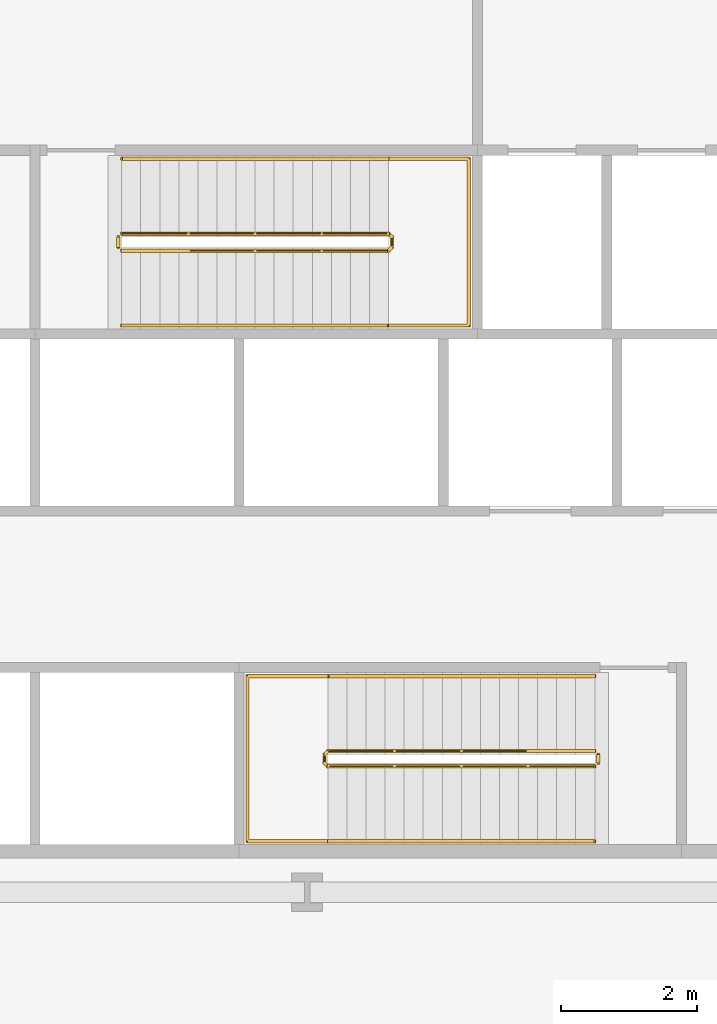
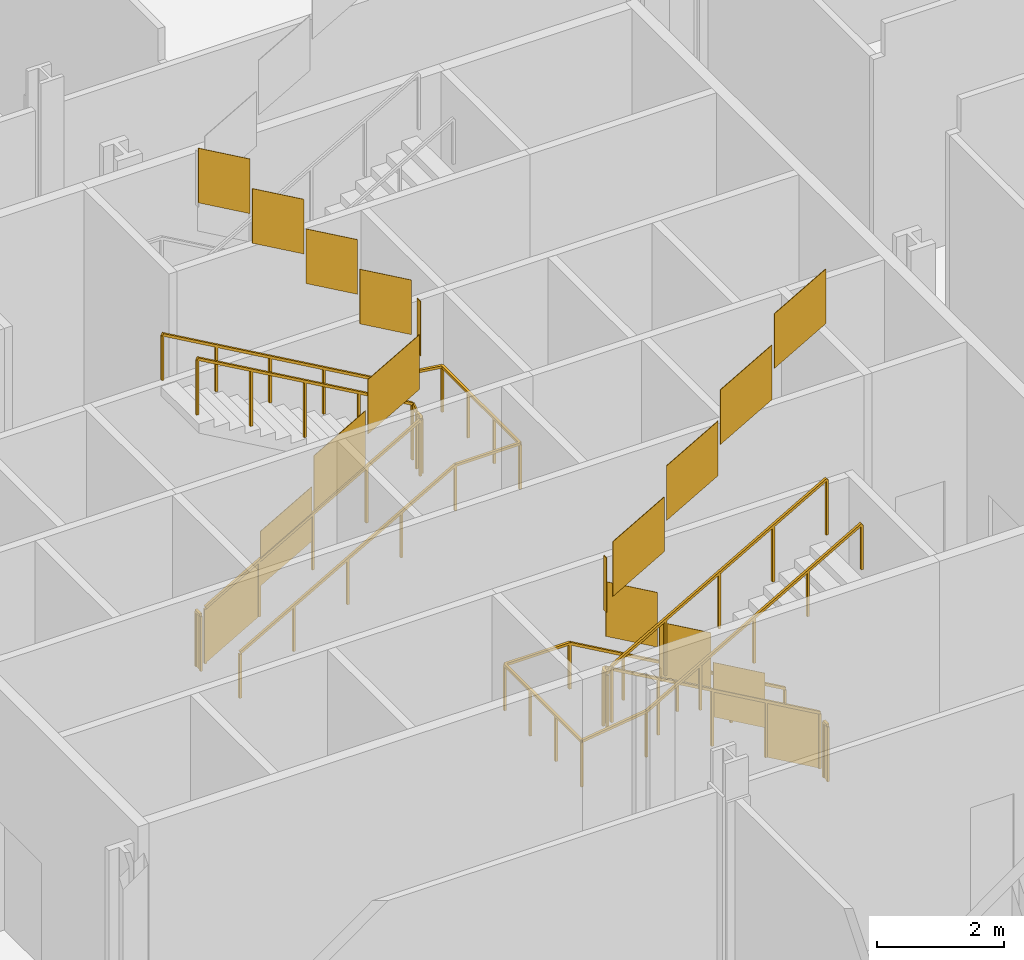
# One storey, part 18 of 22: 6 railings.
"""IFC4 building model written with IfcOpenShell, lengths in metres."""

from ifc_helpers import new_model, si_unit, direction, frame, origin, origin_2d, place, context, subcontext, project, spatial, polyline, rectangle, outline, extrude, material, type_object, element, save


model = new_model("IFC4")

# Units and contexts
model_context = context("Model", 3, precision=1e-05, world=origin(), true_north=direction((0.0, 1.0)))
body_context = subcontext(model_context, "Body", "Model", "MODEL_VIEW")
ifc_project = project(units=[si_unit("LENGTHUNIT", "METRE"), si_unit("AREAUNIT", "SQUARE_METRE"), si_unit("VOLUMEUNIT", "CUBIC_METRE"), si_unit("PLANEANGLEUNIT", "RADIAN"), si_unit("MASSUNIT", "GRAM", prefix="KILO")], contexts=[model_context])

# Site, building, storey
site_placement = place(None, origin())
site = spatial("IfcSite", under=ifc_project, at=site_placement, CompositionType="ELEMENT")
building_placement = place(site_placement, origin())
building = spatial("IfcBuilding", under=site, at=building_placement, Name="Cairn Pilgrim Tower", CompositionType="ELEMENT")
storey_placement = place(building_placement, frame((0.0, 0.0, 35.39990234375)))
storey = spatial("IfcBuildingStorey", under=building, at=storey_placement, Name="L06", CompositionType="ELEMENT", Elevation=35.39990234375)

# Railings
ifc_material = material(Name="Painted steel", Category="steel")
railing_type_1 = type_object("IfcRailingType", Name="STAIR GUARD 1100", PredefinedType="GUARDRAIL", material=ifc_material)
railing_1_placement = place(storey_placement, frame((11.425048828125, -3.925048828125, 0.16015625)))
element("IfcRailing", 1, at=railing_1_placement, inside=storey, type_object=railing_type_1, Name="L06 ST-A stair guard 1", PredefinedType="GUARDRAIL", context=body_context, shape_type="SweptSolid", body=[
    extrude(rectangle(XDim=0.048095703125, YDim=0.048095703125, at=origin_2d()), frame((0.0, 0.0, 1.076171875), z_axis=(-0.86825312469, 0.0, 0.496121468458), x_axis=(0.0, -1.0, 0.0)), (0.0, 0.0, 1.0), 4.514892578125),
    extrude(rectangle(XDim=0.048095703125, YDim=0.048095703125, at=origin_2d()), frame((-3.920166015625, 0.0, 3.31591796875), z_axis=(-0.705375805398, -0.708833529934, 0.0), x_axis=(0.708833529934, -0.705375805398, 0.0)), (0.0, 0.0, 1.0), 0.070556640625),
    extrude(rectangle(XDim=0.048095703125, YDim=0.048095703125, at=origin_2d()), frame((-3.969970703125, -0.050048828125, 3.31591796875), z_axis=(0.0, -1.0, 0.0), x_axis=(1.0, 0.0, 0.0)), (0.0, 0.0, 1.0), 0.125),
    extrude(rectangle(XDim=0.048095703125, YDim=0.048095703125, at=origin_2d()), frame((-3.969970703125, -0.175048828125, 3.31591796875), z_axis=(0.285027140974, -0.285027140974, 0.915160673224), x_axis=(0.707106781187, 0.707106781187, 0.0)), (0.0, 0.0, 1.0), 0.1748046875),
    extrude(rectangle(XDim=0.048095703125, YDim=0.048095703125, at=origin_2d()), frame((-3.920166015625, -0.224853515625, 3.47607421875), z_axis=(0.86825312469, 0.0, 0.496121468458), x_axis=(0.0, 1.0, 0.0)), (0.0, 0.0, 1.0), 4.514892578125),
    extrude(rectangle(XDim=0.0419921875, YDim=0.0419921875, at=origin_2d()), origin(), (0.0, 0.0, 1.0), 1.052001953125),
    extrude(rectangle(XDim=0.0419921875, YDim=0.0419921875, at=origin_2d()), frame((-0.97998046875, 0.0, 0.56005859375)), (0.0, 0.0, 1.0), 1.052001953125),
    extrude(rectangle(XDim=0.0419921875, YDim=0.0419921875, at=origin_2d()), frame((-1.9599609375, 0.0, 1.1201171875)), (0.0, 0.0, 1.0), 1.052001953125),
    extrude(rectangle(XDim=0.0419921875, YDim=0.0419921875, at=origin_2d()), frame((-2.940185546875, 0.0, 1.679931640625)), (0.0, 0.0, 1.0), 1.052001953125),
    extrude(rectangle(XDim=0.0419921875, YDim=0.0419921875, at=origin_2d()), frame((-3.920166015625, 0.0, 2.239990234375)), (0.0, 0.0, 1.0), 1.052001953125),
    extrude(rectangle(XDim=0.0419921875, YDim=0.0419921875, at=origin_2d()), frame((-3.969970703125, -0.050048828125, 2.239990234375)), (0.0, 0.0, 1.0), 1.052001953125),
    extrude(rectangle(XDim=0.0419921875, YDim=0.0419921875, at=origin_2d()), frame((-3.969970703125, -0.175048828125, 2.239990234375)), (0.0, 0.0, 1.0), 1.052001953125),
    extrude(rectangle(XDim=0.0419921875, YDim=0.0419921875, at=origin_2d()), frame((-3.920166015625, -0.224853515625, 2.39990234375)), (0.0, 0.0, 1.0), 1.052001953125),
    extrude(rectangle(XDim=0.0419921875, YDim=0.0419921875, at=origin_2d()), frame((-2.940185546875, -0.224853515625, 2.9599609375)), (0.0, 0.0, 1.0), 1.052001953125),
    extrude(rectangle(XDim=0.0419921875, YDim=0.0419921875, at=origin_2d()), frame((-1.9599609375, -0.224853515625, 3.52001953125)), (0.0, 0.0, 1.0), 1.052001953125),
    extrude(rectangle(XDim=0.0419921875, YDim=0.0419921875, at=origin_2d()), frame((-0.97998046875, -0.224853515625, 4.079833984375)), (0.0, 0.0, 1.0), 1.052001953125),
    extrude(rectangle(XDim=0.0419921875, YDim=0.0419921875, at=origin_2d()), frame((0.0, -0.224853515625, 4.639892578125)), (0.0, 0.0, 1.0), 1.052001953125),
    extrude(outline(polyline([(0.02099609375, 0.011962890625), (0.958984375, 0.548095703125), (0.958984375, 1.60009765625), (0.02099609375, 1.06396484375), (0.02099609375, 0.011962890625)])), frame((0.0, -0.005859375, 0.0), z_axis=(0.0, 1.0, 0.0), x_axis=(-1.0, 0.0, 0.0)), (0.0, 0.0, 1.0), 0.011962890625),
    extrude(outline(polyline([(0.02099609375, 0.572021484375), (0.958984375, 1.10791015625), (0.958984375, 2.159912109375), (0.02099609375, 1.6240234375), (0.02099609375, 0.572021484375)])), frame((-0.97998046875, -0.005859375, 0.56005859375), z_axis=(0.0, 1.0, 0.0), x_axis=(-1.0, 0.0, 0.0)), (0.0, 0.0, 1.0), 0.011962890625),
    extrude(outline(polyline([(0.02099609375, 1.132080078125), (0.958984375, 1.66796875), (0.958984375, 2.719970703125), (0.02099609375, 2.18408203125), (0.02099609375, 1.132080078125)])), frame((-1.9599609375, -0.005859375, 1.1201171875), z_axis=(0.0, 1.0, 0.0), x_axis=(-1.0, 0.0, 0.0)), (0.0, 0.0, 1.0), 0.011962890625),
    extrude(outline(polyline([(0.02099609375, 1.69189453125), (0.958984375, 2.22802734375), (0.958984375, 3.280029296875), (0.02099609375, 2.743896484375), (0.02099609375, 1.69189453125)])), frame((-2.940185546875, -0.005859375, 1.679931640625), z_axis=(0.0, 1.0, 0.0), x_axis=(-1.0, 0.0, 0.0)), (0.0, 0.0, 1.0), 0.011962890625),
    extrude(outline(polyline([(0.02099609375, 2.239990234375), (0.10400390625, 2.239990234375), (0.10400390625, 3.2919921875), (0.02099609375, 3.2919921875), (0.02099609375, 2.239990234375)])), frame((-3.9638671875, -0.050048828125, 2.239990234375), z_axis=(-1.0, 0.0, 0.0), x_axis=(0.0, -1.0, 0.0)), (0.0, 0.0, 1.0), 0.011962890625),
    extrude(outline(polyline([(0.02099609375, 2.411865234375), (0.958984375, 2.947998046875), (0.958984375, 4.0), (0.02099609375, 3.4638671875), (0.02099609375, 2.411865234375)])), frame((-3.920166015625, -0.21875, 2.39990234375), z_axis=(0.0, -1.0, 0.0), x_axis=(1.0, 0.0, 0.0)), (0.0, 0.0, 1.0), 0.011962890625),
    extrude(outline(polyline([(0.02099609375, 2.971923828125), (0.958984375, 3.5078125), (0.958984375, 4.559814453125), (0.02099609375, 4.02392578125), (0.02099609375, 2.971923828125)])), frame((-2.940185546875, -0.21875, 2.9599609375), z_axis=(0.0, -1.0, 0.0), x_axis=(1.0, 0.0, 0.0)), (0.0, 0.0, 1.0), 0.011962890625),
    extrude(outline(polyline([(0.02099609375, 3.531982421875), (0.958984375, 4.06787109375), (0.958984375, 5.119873046875), (0.02099609375, 4.583984375), (0.02099609375, 3.531982421875)])), frame((-1.9599609375, -0.21875, 3.52001953125), z_axis=(0.0, -1.0, 0.0), x_axis=(1.0, 0.0, 0.0)), (0.0, 0.0, 1.0), 0.011962890625),
    extrude(outline(polyline([(0.02099609375, 4.091796875), (0.958984375, 4.6279296875), (0.958984375, 5.679931640625), (0.02099609375, 5.143798828125), (0.02099609375, 4.091796875)])), frame((-0.97998046875, -0.21875, 4.079833984375), z_axis=(0.0, -1.0, 0.0), x_axis=(1.0, 0.0, 0.0)), (0.0, 0.0, 1.0), 0.011962890625),
])
railing_2_placement = place(storey_placement, frame((11.47509765625, -3.97509765625, 0.0)))
element("IfcRailing", 2, at=railing_2_placement, inside=storey, type_object=railing_type_1, Name="L06 ST-A stair guard 2", PredefinedType="GUARDRAIL", context=body_context, shape_type="SweptSolid", body=[
    extrude(rectangle(XDim=0.048095703125, YDim=0.048095703125, at=origin_2d()), frame((0.0, 0.0, 1.076171875), z_axis=(0.0, -1.0, 0.0), x_axis=(1.0, 0.0, 0.0)), (0.0, 0.0, 1.0), 0.125),
    extrude(rectangle(XDim=0.0419921875, YDim=0.0419921875, at=origin_2d()), origin(), (0.0, 0.0, 1.0), 1.052001953125),
    extrude(rectangle(XDim=0.0419921875, YDim=0.0419921875, at=origin_2d()), frame((0.0, -0.125, 0.0)), (0.0, 0.0, 1.0), 1.052001953125),
    extrude(outline(polyline([(0.02099609375, 0.0), (0.10400390625, 0.0), (0.10400390625, 1.052001953125), (0.02099609375, 1.052001953125), (0.02099609375, 0.0)])), frame((0.005859375, 0.0, 0.0), z_axis=(-1.0, 0.0, 0.0), x_axis=(0.0, -1.0, 0.0)), (0.0, 0.0, 1.0), 0.011962890625),
])
railing_3_placement = place(storey_placement, frame((4.47509765625, 3.425048828125, 0.16015625)))
element("IfcRailing", 3, at=railing_3_placement, inside=storey, type_object=railing_type_1, Name="L06 ST-B stair guard 1", PredefinedType="GUARDRAIL", context=body_context, shape_type="SweptSolid", body=[
    extrude(rectangle(XDim=0.048095703125, YDim=0.048095703125, at=origin_2d()), frame((0.0, 0.0, 1.076171875), z_axis=(0.868239814368, 0.0, 0.496144761885), x_axis=(0.0, 1.0, 0.0)), (0.0, 0.0, 1.0), 4.514892578125),
    extrude(rectangle(XDim=0.048095703125, YDim=0.048095703125, at=origin_2d()), frame((3.919921875, 0.0, 3.31591796875), z_axis=(0.707106781187, 0.707106781187, 0.0), x_axis=(-0.707106781187, 0.707106781187, 0.0)), (0.0, 0.0, 1.0), 0.07080078125),
    extrude(rectangle(XDim=0.048095703125, YDim=0.048095703125, at=origin_2d()), frame((3.969970703125, 0.050048828125, 3.31591796875), z_axis=(0.0, 1.0, 0.0), x_axis=(-1.0, 0.0, 0.0)), (0.0, 0.0, 1.0), 0.14990234375),
    extrude(rectangle(XDim=0.048095703125, YDim=0.048095703125, at=origin_2d()), frame((3.969970703125, 0.199951171875, 3.31591796875), z_axis=(-0.286195917343, 0.286195917343, 0.914430857852), x_axis=(-0.707106781187, -0.707106781187, 0.0)), (0.0, 0.0, 1.0), 0.1748046875),
    extrude(rectangle(XDim=0.048095703125, YDim=0.048095703125, at=origin_2d()), frame((3.919921875, 0.25, 3.47607421875), z_axis=(-0.868239814368, 0.0, 0.496144761885), x_axis=(0.0, -1.0, 0.0)), (0.0, 0.0, 1.0), 4.514892578125),
    extrude(rectangle(XDim=0.0419921875, YDim=0.0419921875, at=origin_2d()), origin(), (0.0, 0.0, 1.0), 1.052001953125),
    extrude(rectangle(XDim=0.0419921875, YDim=0.0419921875, at=origin_2d()), frame((0.97998046875, 0.0, 0.56005859375)), (0.0, 0.0, 1.0), 1.052001953125),
    extrude(rectangle(XDim=0.0419921875, YDim=0.0419921875, at=origin_2d()), frame((1.9599609375, 0.0, 1.1201171875)), (0.0, 0.0, 1.0), 1.052001953125),
    extrude(rectangle(XDim=0.0419921875, YDim=0.0419921875, at=origin_2d()), frame((2.93994140625, 0.0, 1.679931640625)), (0.0, 0.0, 1.0), 1.052001953125),
    extrude(rectangle(XDim=0.0419921875, YDim=0.0419921875, at=origin_2d()), frame((3.919921875, 0.0, 2.239990234375)), (0.0, 0.0, 1.0), 1.052001953125),
    extrude(rectangle(XDim=0.0419921875, YDim=0.0419921875, at=origin_2d()), frame((3.969970703125, 0.050048828125, 2.239990234375)), (0.0, 0.0, 1.0), 1.052001953125),
    extrude(rectangle(XDim=0.0419921875, YDim=0.0419921875, at=origin_2d()), frame((3.969970703125, 0.199951171875, 2.239990234375)), (0.0, 0.0, 1.0), 1.052001953125),
    extrude(rectangle(XDim=0.0419921875, YDim=0.0419921875, at=origin_2d()), frame((3.919921875, 0.25, 2.39990234375)), (0.0, 0.0, 1.0), 1.052001953125),
    extrude(rectangle(XDim=0.0419921875, YDim=0.0419921875, at=origin_2d()), frame((2.93994140625, 0.25, 2.9599609375)), (0.0, 0.0, 1.0), 1.052001953125),
    extrude(rectangle(XDim=0.0419921875, YDim=0.0419921875, at=origin_2d()), frame((1.9599609375, 0.25, 3.52001953125)), (0.0, 0.0, 1.0), 1.052001953125),
    extrude(rectangle(XDim=0.0419921875, YDim=0.0419921875, at=origin_2d()), frame((0.97998046875, 0.25, 4.079833984375)), (0.0, 0.0, 1.0), 1.052001953125),
    extrude(rectangle(XDim=0.0419921875, YDim=0.0419921875, at=origin_2d()), frame((0.0, 0.25, 4.639892578125)), (0.0, 0.0, 1.0), 1.052001953125),
    extrude(outline(polyline([(0.02099609375, 0.011962890625), (0.958984375, 0.548095703125), (0.958984375, 1.60009765625), (0.02099609375, 1.06396484375), (0.02099609375, 0.011962890625)])), frame((0.0, 0.005859375, 0.0), z_axis=(0.0, -1.0, 0.0), x_axis=(1.0, 0.0, 0.0)), (0.0, 0.0, 1.0), 0.011962890625),
    extrude(outline(polyline([(0.02099609375, 0.572021484375), (0.958984375, 1.10791015625), (0.958984375, 2.159912109375), (0.02099609375, 1.6240234375), (0.02099609375, 0.572021484375)])), frame((0.97998046875, 0.005859375, 0.56005859375), z_axis=(0.0, -1.0, 0.0), x_axis=(1.0, 0.0, 0.0)), (0.0, 0.0, 1.0), 0.011962890625),
    extrude(outline(polyline([(0.02099609375, 1.132080078125), (0.958984375, 1.66796875), (0.958984375, 2.719970703125), (0.02099609375, 2.18408203125), (0.02099609375, 1.132080078125)])), frame((1.9599609375, 0.005859375, 1.1201171875), z_axis=(0.0, -1.0, 0.0), x_axis=(1.0, 0.0, 0.0)), (0.0, 0.0, 1.0), 0.011962890625),
    extrude(outline(polyline([(0.02099609375, 1.69189453125), (0.958984375, 2.22802734375), (0.958984375, 3.280029296875), (0.02099609375, 2.743896484375), (0.02099609375, 1.69189453125)])), frame((2.93994140625, 0.005859375, 1.679931640625), z_axis=(0.0, -1.0, 0.0), x_axis=(1.0, 0.0, 0.0)), (0.0, 0.0, 1.0), 0.011962890625),
    extrude(outline(polyline([(0.02099609375, 2.239990234375), (0.12890625, 2.239990234375), (0.12890625, 3.2919921875), (0.02099609375, 3.2919921875), (0.02099609375, 2.239990234375)])), frame((3.9638671875, 0.050048828125, 2.239990234375), z_axis=(1.0, 0.0, 0.0), x_axis=(0.0, 1.0, 0.0)), (0.0, 0.0, 1.0), 0.011962890625),
    extrude(outline(polyline([(0.02099609375, 2.411865234375), (0.958984375, 2.947998046875), (0.958984375, 4.0), (0.02099609375, 3.4638671875), (0.02099609375, 2.411865234375)])), frame((3.919921875, 0.244140625, 2.39990234375), z_axis=(0.0, 1.0, 0.0), x_axis=(-1.0, 0.0, 0.0)), (0.0, 0.0, 1.0), 0.011962890625),
    extrude(outline(polyline([(0.02099609375, 2.971923828125), (0.958984375, 3.5078125), (0.958984375, 4.559814453125), (0.02099609375, 4.02392578125), (0.02099609375, 2.971923828125)])), frame((2.93994140625, 0.244140625, 2.9599609375), z_axis=(0.0, 1.0, 0.0), x_axis=(-1.0, 0.0, 0.0)), (0.0, 0.0, 1.0), 0.011962890625),
    extrude(outline(polyline([(0.02099609375, 3.531982421875), (0.958984375, 4.06787109375), (0.958984375, 5.119873046875), (0.02099609375, 4.583984375), (0.02099609375, 3.531982421875)])), frame((1.9599609375, 0.244140625, 3.52001953125), z_axis=(0.0, 1.0, 0.0), x_axis=(-1.0, 0.0, 0.0)), (0.0, 0.0, 1.0), 0.011962890625),
    extrude(outline(polyline([(0.02099609375, 4.091796875), (0.958984375, 4.6279296875), (0.958984375, 5.679931640625), (0.02099609375, 5.143798828125), (0.02099609375, 4.091796875)])), frame((0.97998046875, 0.244140625, 4.079833984375), z_axis=(0.0, 1.0, 0.0), x_axis=(-1.0, 0.0, 0.0)), (0.0, 0.0, 1.0), 0.011962890625),
])
railing_4_placement = place(storey_placement, frame((4.425048828125, 3.47509765625, 0.0)))
element("IfcRailing", 4, at=railing_4_placement, inside=storey, type_object=railing_type_1, Name="L06 ST-B stair guard 2", PredefinedType="GUARDRAIL", context=body_context, shape_type="SweptSolid", body=[
    extrude(rectangle(XDim=0.048095703125, YDim=0.048095703125, at=origin_2d()), frame((0.0, 0.0, 1.076171875), z_axis=(0.0, 1.0, 0.0), x_axis=(-1.0, 0.0, 0.0)), (0.0, 0.0, 1.0), 0.14990234375),
    extrude(rectangle(XDim=0.0419921875, YDim=0.0419921875, at=origin_2d()), origin(), (0.0, 0.0, 1.0), 1.052001953125),
    extrude(rectangle(XDim=0.0419921875, YDim=0.0419921875, at=origin_2d()), frame((0.0, 0.14990234375, 0.0)), (0.0, 0.0, 1.0), 1.052001953125),
    extrude(outline(polyline([(0.02099609375, 0.0), (0.12890625, 0.0), (0.12890625, 1.052001953125), (0.02099609375, 1.052001953125), (0.02099609375, 0.0)])), frame((-0.005859375, 0.0, 0.0), z_axis=(1.0, 0.0, 0.0), x_axis=(0.0, 1.0, 0.0)), (0.0, 0.0, 1.0), 0.011962890625),
])
railing_type_2 = type_object("IfcRailingType", Name="STAIR HANDRAIL 900", PredefinedType="HANDRAIL", material=ifc_material)
railing_5_placement = place(storey_placement, frame((11.425048828125, -2.824951171875, 0.16015625)))
element("IfcRailing", 5, at=railing_5_placement, inside=storey, type_object=railing_type_2, Name="L06 ST-A stair handrail 1", PredefinedType="HANDRAIL", context=body_context, shape_type="SweptSolid", body=[
    extrude(rectangle(XDim=0.048095703125, YDim=0.048095703125, at=origin_2d()), frame((0.0, 0.0, 0.8759765625), z_axis=(-0.86825312469, 0.0, 0.496121468458), x_axis=(0.0, -1.0, 0.0)), (0.0, 0.0, 1.0), 4.514892578125),
    extrude(rectangle(XDim=0.048095703125, YDim=0.048095703125, at=origin_2d()), frame((-3.920166015625, 0.0, 3.11572265625), z_axis=(-1.0, 0.0, 0.0), x_axis=(0.0, -1.0, 0.0)), (0.0, 0.0, 1.0), 1.179931640625),
    extrude(rectangle(XDim=0.048095703125, YDim=0.048095703125, at=origin_2d()), frame((-5.10009765625, 0.0, 3.11572265625), z_axis=(0.0, -1.0, 0.0), x_axis=(1.0, 0.0, 0.0)), (0.0, 0.0, 1.0), 2.425048828125),
    extrude(rectangle(XDim=0.048095703125, YDim=0.048095703125, at=origin_2d()), frame((-5.10009765625, -2.425048828125, 3.11572265625), z_axis=(0.990940877464, 0.0, 0.134298836073), x_axis=(0.0, 1.0, 0.0)), (0.0, 0.0, 1.0), 1.190673828125),
    extrude(rectangle(XDim=0.048095703125, YDim=0.048095703125, at=origin_2d()), frame((-3.920166015625, -2.425048828125, 3.27587890625), z_axis=(0.86825312469, 0.0, 0.496121468458), x_axis=(0.0, 1.0, 0.0)), (0.0, 0.0, 1.0), 4.514892578125),
    extrude(rectangle(XDim=0.0419921875, YDim=0.0419921875, at=origin_2d()), origin(), (0.0, 0.0, 1.0), 0.851806640625),
    extrude(rectangle(XDim=0.0419921875, YDim=0.0419921875, at=origin_2d()), frame((-0.97998046875, 0.0, 0.56005859375)), (0.0, 0.0, 1.0), 0.851806640625),
    extrude(rectangle(XDim=0.0419921875, YDim=0.0419921875, at=origin_2d()), frame((-1.9599609375, 0.0, 1.1201171875)), (0.0, 0.0, 1.0), 0.851806640625),
    extrude(rectangle(XDim=0.0419921875, YDim=0.0419921875, at=origin_2d()), frame((-2.940185546875, 0.0, 1.679931640625)), (0.0, 0.0, 1.0), 0.851806640625),
    extrude(rectangle(XDim=0.0419921875, YDim=0.0419921875, at=origin_2d()), frame((-3.920166015625, 0.0, 2.239990234375)), (0.0, 0.0, 1.0), 0.851806640625),
    extrude(rectangle(XDim=0.0419921875, YDim=0.0419921875, at=origin_2d()), frame((-5.10009765625, 0.0, 2.239990234375)), (0.0, 0.0, 1.0), 0.851806640625),
    extrude(rectangle(XDim=0.0419921875, YDim=0.0419921875, at=origin_2d()), frame((-5.10009765625, -0.808349609375, 2.239990234375)), (0.0, 0.0, 1.0), 0.851806640625),
    extrude(rectangle(XDim=0.0419921875, YDim=0.0419921875, at=origin_2d()), frame((-5.10009765625, -1.61669921875, 2.239990234375)), (0.0, 0.0, 1.0), 0.851806640625),
    extrude(rectangle(XDim=0.0419921875, YDim=0.0419921875, at=origin_2d()), frame((-5.10009765625, -2.425048828125, 2.239990234375)), (0.0, 0.0, 1.0), 0.851806640625),
    extrude(rectangle(XDim=0.0419921875, YDim=0.0419921875, at=origin_2d()), frame((-3.920166015625, -2.425048828125, 2.39990234375)), (0.0, 0.0, 1.0), 0.851806640625),
    extrude(rectangle(XDim=0.0419921875, YDim=0.0419921875, at=origin_2d()), frame((-2.940185546875, -2.425048828125, 2.9599609375)), (0.0, 0.0, 1.0), 0.851806640625),
    extrude(rectangle(XDim=0.0419921875, YDim=0.0419921875, at=origin_2d()), frame((-1.9599609375, -2.425048828125, 3.52001953125)), (0.0, 0.0, 1.0), 0.851806640625),
    extrude(rectangle(XDim=0.0419921875, YDim=0.0419921875, at=origin_2d()), frame((-0.97998046875, -2.425048828125, 4.079833984375)), (0.0, 0.0, 1.0), 0.851806640625),
    extrude(rectangle(XDim=0.0419921875, YDim=0.0419921875, at=origin_2d()), frame((0.0, -2.425048828125, 4.639892578125)), (0.0, 0.0, 1.0), 0.851806640625),
])
railing_6_placement = place(storey_placement, frame((4.47509765625, 2.324951171875, 0.16015625)))
element("IfcRailing", 6, at=railing_6_placement, inside=storey, type_object=railing_type_2, Name="L06 ST-B stair handrail 1", PredefinedType="HANDRAIL", context=body_context, shape_type="SweptSolid", body=[
    extrude(rectangle(XDim=0.048095703125, YDim=0.048095703125, at=origin_2d()), frame((0.0, 0.0, 0.8759765625), z_axis=(0.868239814368, 0.0, 0.496144761885), x_axis=(0.0, 1.0, 0.0)), (0.0, 0.0, 1.0), 4.514892578125),
    extrude(rectangle(XDim=0.048095703125, YDim=0.048095703125, at=origin_2d()), frame((3.919921875, 0.0, 3.11572265625), z_axis=(1.0, 0.0, 0.0), x_axis=(0.0, 1.0, 0.0)), (0.0, 0.0, 1.0), 1.179931640625),
    extrude(rectangle(XDim=0.048095703125, YDim=0.048095703125, at=origin_2d()), frame((5.099853515625, 0.0, 3.11572265625), z_axis=(0.0, 1.0, 0.0), x_axis=(-1.0, 0.0, 0.0)), (0.0, 0.0, 1.0), 2.449951171875),
    extrude(rectangle(XDim=0.048095703125, YDim=0.048095703125, at=origin_2d()), frame((5.099853515625, 2.449951171875, 3.11572265625), z_axis=(-0.990940877464, 0.0, 0.134298836073), x_axis=(0.0, -1.0, 0.0)), (0.0, 0.0, 1.0), 1.190673828125),
    extrude(rectangle(XDim=0.048095703125, YDim=0.048095703125, at=origin_2d()), frame((3.919921875, 2.449951171875, 3.27587890625), z_axis=(-0.868239814368, 0.0, 0.496144761885), x_axis=(0.0, -1.0, 0.0)), (0.0, 0.0, 1.0), 4.514892578125),
    extrude(rectangle(XDim=0.0419921875, YDim=0.0419921875, at=origin_2d()), origin(), (0.0, 0.0, 1.0), 0.851806640625),
    extrude(rectangle(XDim=0.0419921875, YDim=0.0419921875, at=origin_2d()), frame((0.97998046875, 0.0, 0.56005859375)), (0.0, 0.0, 1.0), 0.851806640625),
    extrude(rectangle(XDim=0.0419921875, YDim=0.0419921875, at=origin_2d()), frame((1.9599609375, 0.0, 1.1201171875)), (0.0, 0.0, 1.0), 0.851806640625),
    extrude(rectangle(XDim=0.0419921875, YDim=0.0419921875, at=origin_2d()), frame((2.93994140625, 0.0, 1.679931640625)), (0.0, 0.0, 1.0), 0.851806640625),
    extrude(rectangle(XDim=0.0419921875, YDim=0.0419921875, at=origin_2d()), frame((3.919921875, 0.0, 2.239990234375)), (0.0, 0.0, 1.0), 0.851806640625),
    extrude(rectangle(XDim=0.0419921875, YDim=0.0419921875, at=origin_2d()), frame((5.099853515625, 0.0, 2.239990234375)), (0.0, 0.0, 1.0), 0.851806640625),
    extrude(rectangle(XDim=0.0419921875, YDim=0.0419921875, at=origin_2d()), frame((5.099853515625, 0.816650390625, 2.239990234375)), (0.0, 0.0, 1.0), 0.851806640625),
    extrude(rectangle(XDim=0.0419921875, YDim=0.0419921875, at=origin_2d()), frame((5.099853515625, 1.63330078125, 2.239990234375)), (0.0, 0.0, 1.0), 0.851806640625),
    extrude(rectangle(XDim=0.0419921875, YDim=0.0419921875, at=origin_2d()), frame((5.099853515625, 2.449951171875, 2.239990234375)), (0.0, 0.0, 1.0), 0.851806640625),
    extrude(rectangle(XDim=0.0419921875, YDim=0.0419921875, at=origin_2d()), frame((3.919921875, 2.449951171875, 2.39990234375)), (0.0, 0.0, 1.0), 0.851806640625),
    extrude(rectangle(XDim=0.0419921875, YDim=0.0419921875, at=origin_2d()), frame((2.93994140625, 2.449951171875, 2.9599609375)), (0.0, 0.0, 1.0), 0.851806640625),
    extrude(rectangle(XDim=0.0419921875, YDim=0.0419921875, at=origin_2d()), frame((1.9599609375, 2.449951171875, 3.52001953125)), (0.0, 0.0, 1.0), 0.851806640625),
    extrude(rectangle(XDim=0.0419921875, YDim=0.0419921875, at=origin_2d()), frame((0.97998046875, 2.449951171875, 4.079833984375)), (0.0, 0.0, 1.0), 0.851806640625),
    extrude(rectangle(XDim=0.0419921875, YDim=0.0419921875, at=origin_2d()), frame((0.0, 2.449951171875, 4.639892578125)), (0.0, 0.0, 1.0), 0.851806640625),
])

save(model, "model.ifc")
